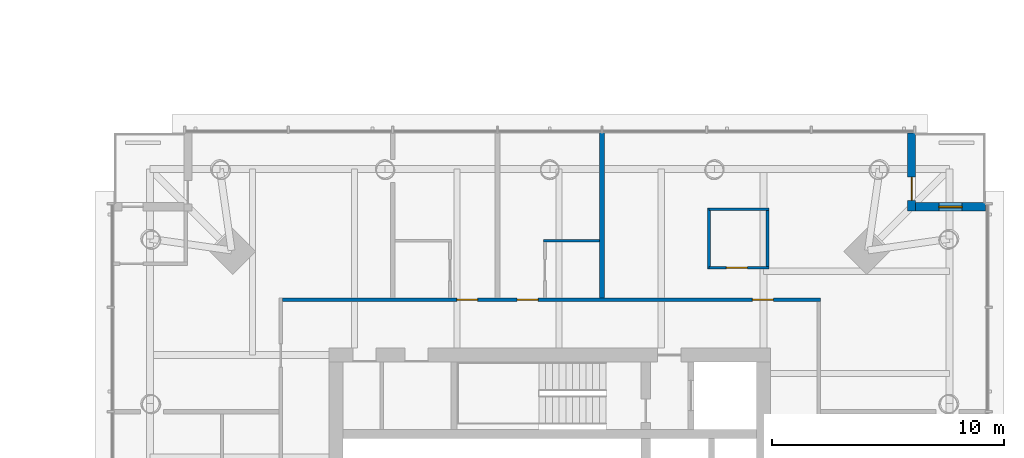
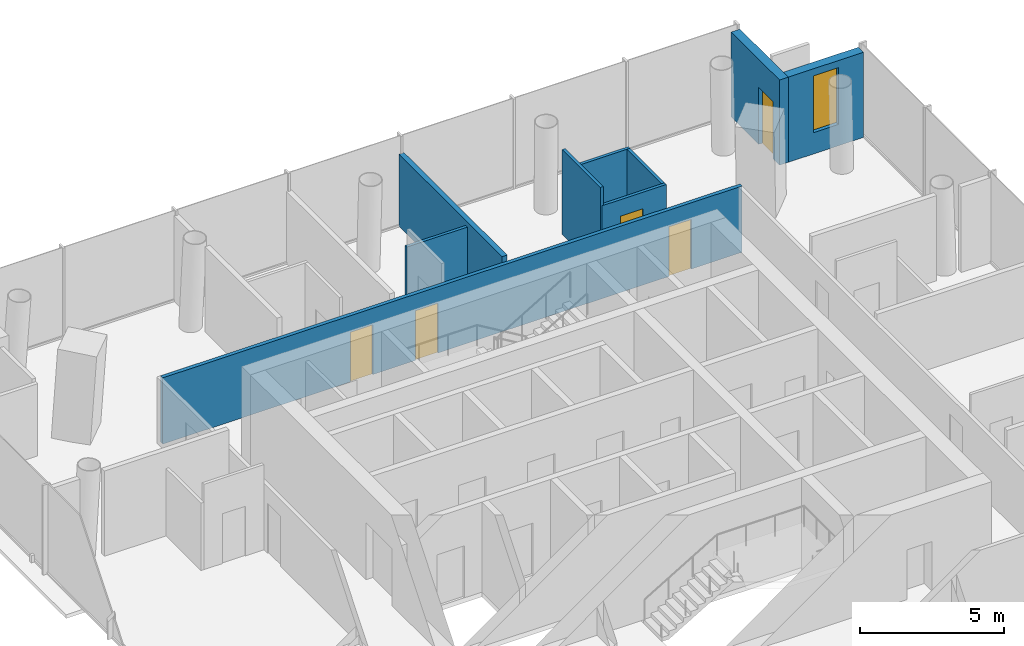
# One storey, part 15 of 22: 9 walls, 5 doors, 1 window, 6 openings.
"""IFC4 building model written with IfcOpenShell, lengths in metres."""

import ifcopenshell
import ifcopenshell.guid

model = None  # the IFC model being written
_history = None  # IfcOwnerHistory: only IFC2X3 demands one
_inside = {}  # id of a spatial element -> (the spatial element, [elements in it])
_under = {}  # id of a project, library or spatial element -> (it, [spatial elements below it])
_declared = {}  # id of a project -> (the project, [libraries it declares])
_typed = {}  # id of a type object -> (the type object, [elements of that type])
_made_of = {}  # id of a material, layer set ... -> (it, [elements and type objects made of it])


def new_model(schema):
    """Start an empty IFC model of exactly this schema.

    Asked for "IFC4X3", IfcOpenShell would pick the latest addendum, in which some entities
    have other attributes; the version numbers below select the first issue.
    IFC2X3 requires an IfcOwnerHistory on every rooted entity: one is made here for all.
    """
    global model, _history
    if schema == "IFC4X3":
        model = ifcopenshell.file(schema_version=(4, 3, 0, 0))
    else:
        model = ifcopenshell.file(schema=schema)
    _inside.clear()
    _under.clear()
    _declared.clear()
    _typed.clear()
    _made_of.clear()
    _history = None
    if model.schema == "IFC2X3":
        org = make("IfcOrganization", Name="unknown")
        user = make(
            "IfcPersonAndOrganization",
            ThePerson=make("IfcPerson", FamilyName="unknown"),
            TheOrganization=org,
        )
        app = make(
            "IfcApplication",
            ApplicationDeveloper=org,
            Version="unknown",
            ApplicationFullName="unknown",
            ApplicationIdentifier="unknown",
        )
        _history = make(
            "IfcOwnerHistory",
            OwningUser=user,
            OwningApplication=app,
            ChangeAction="ADDED",
            CreationDate=0,
        )
    return model


def make(cls, **values):
    """One entity of the class cls with the attributes given. An attribute that is None is left unset."""
    return model.create_entity(
        cls, **{name: value for name, value in values.items() if value is not None}
    )


def rooted(cls, **values):
    """An entity with a GlobalId (a new one), such as an element, a storey or a relation."""
    return make(cls, GlobalId=ifcopenshell.guid.new(), OwnerHistory=_history, **values)


def si_unit(unit_type, name, prefix=None):
    """IfcSIUnit, for example si_unit("LENGTHUNIT", "METRE", prefix="MILLI")."""
    return make("IfcSIUnit", UnitType=unit_type, Prefix=prefix, Name=name)


def assignment(units):
    """IfcUnitAssignment: the units of a project."""
    return None if units is None else make("IfcUnitAssignment", Units=units)


def point(xyz):
    """IfcCartesianPoint."""
    return None if xyz is None else make("IfcCartesianPoint", Coordinates=xyz)


def direction(xyz):
    """IfcDirection."""
    return None if xyz is None else make("IfcDirection", DirectionRatios=xyz)


def frame(location, z_axis=None, x_axis=None):
    """IfcAxis2Placement3D, a coordinate frame: its origin and axes. An axis left out is left unset."""
    return make(
        "IfcAxis2Placement3D",
        Location=point(location),
        Axis=direction(z_axis),
        RefDirection=direction(x_axis),
    )


def frame_2d(location, x_axis=None):
    """IfcAxis2Placement2D, a coordinate frame in the plane: its origin and x axis."""
    return make(
        "IfcAxis2Placement2D", Location=point(location), RefDirection=direction(x_axis)
    )


def origin():
    """The frame at (0, 0, 0) with its axes left unset."""
    return frame((0.0, 0.0, 0.0))


def place(relative_to, where):
    """IfcLocalPlacement: puts the frame where relative to a parent placement (None: the world)."""
    return make(
        "IfcLocalPlacement", PlacementRelTo=relative_to, RelativePlacement=where
    )


def context(
    kind, dimensions, precision=None, world=None, true_north=None, identifier=None
):
    """IfcGeometricRepresentationContext, for example the 3D "Model" context."""
    return make(
        "IfcGeometricRepresentationContext",
        ContextIdentifier=identifier,
        ContextType=kind,
        CoordinateSpaceDimension=dimensions,
        Precision=precision,
        WorldCoordinateSystem=world,
        TrueNorth=true_north,
    )


def subcontext(parent, identifier, kind, view, scale=None):
    """IfcGeometricRepresentationSubContext, for example "Body" below "Model"."""
    return make(
        "IfcGeometricRepresentationSubContext",
        ContextIdentifier=identifier,
        ContextType=kind,
        ParentContext=parent,
        TargetScale=scale,
        TargetView=view,
    )


def project(units=None, contexts=None):
    """IfcProject with its units and contexts."""
    return rooted(
        "IfcProject",
        Name="project",
        RepresentationContexts=contexts,
        UnitsInContext=assignment(units),
    )


def spatial(cls, under=None, at=None, **own):
    """A site, building, storey or space (cls), placed at a placement, below another one or the project."""
    s = rooted(cls, ObjectPlacement=at, **own)
    if under is not None:
        _under.setdefault(under.id(), (under, []))[1].append(s)
    return s


def profile(cls, at=None, kind="AREA", **sizes):
    """A parametric profile (cls). Its sizes go by their IFC names, for example OverallWidth=200.0."""
    return make(cls, ProfileType=kind, Position=at, **sizes)


def rectangle(**sizes):
    """IfcRectangleProfileDef."""
    return profile("IfcRectangleProfileDef", **sizes)


def extrude(swept, where, along, depth):
    """IfcExtrudedAreaSolid: the profile swept, set in the frame where, extruded along a direction by depth."""
    return make(
        "IfcExtrudedAreaSolid",
        SweptArea=swept,
        Position=where,
        ExtrudedDirection=direction(along),
        Depth=depth,
    )


def shape(context_of_items, identifier, shape_type, items):
    """IfcShapeRepresentation: the items that make up one representation, for example the "Body"."""
    return make(
        "IfcShapeRepresentation",
        ContextOfItems=context_of_items,
        RepresentationIdentifier=identifier,
        RepresentationType=shape_type,
        Items=items,
    )


def material(Name=None, Category=None):
    """IfcMaterial."""
    return make("IfcMaterial", Name=Name, Category=Category)


def layer(
    of_material, thickness, ventilated=None, Name=None, Category=None, Priority=None
):
    """IfcMaterialLayer: one layer of a wall or slab, of a material (None: an air gap)."""
    return make(
        "IfcMaterialLayer",
        Material=of_material,
        LayerThickness=thickness,
        IsVentilated=ventilated,
        Name=Name,
        Category=Category,
        Priority=Priority,
    )


def layer_set(layers, Name=None):
    """IfcMaterialLayerSet."""
    return make("IfcMaterialLayerSet", MaterialLayers=layers, LayerSetName=Name)


def made_of(thing, what):
    """Note that an element or type object is made of a material, layer set ...; save() writes the relation."""
    if what is not None:
        _made_of.setdefault(what.id(), (what, []))[1].append(thing)
    return thing


def type_object(cls, material=None, **own):
    """A type object (cls), such as IfcWallType, which elements share."""
    return made_of(rooted(cls, **own), material)


def element(
    cls,
    number,
    at=None,
    inside=None,
    cuts=None,
    type_object=None,
    material=None,
    context=None,
    identifier="Body",
    shape_type=None,
    held_by="IfcProductDefinitionShape",
    body=None,
    shapes=None,
    **own,
):
    """One element of the class cls, such as IfcWall. Its Tag is "e" and its number.

    at: its placement. inside: the storey or other place that contains it. cuts: it is an
    opening in that element (IfcRelVoidsElement). A single representation is given by context,
    identifier, shape_type and body (its items); several are given by shapes. held_by: the class
    of the entity that holds the representations. save() writes the other relations.
    """
    e = rooted(cls, Tag="e%d" % number, ObjectPlacement=at, **own)
    if body is not None:
        shapes = [shape(context, identifier, shape_type, body)]
    if shapes is not None:
        e.Representation = make(held_by, Representations=shapes)
    if inside is not None:
        _inside.setdefault(inside.id(), (inside, []))[1].append(e)
    if cuts is not None:
        rooted(
            "IfcRelVoidsElement", RelatingBuildingElement=cuts, RelatedOpeningElement=e
        )
    if type_object is not None:
        _typed.setdefault(type_object.id(), (type_object, []))[1].append(e)
    return made_of(e, material)


def fill(opening, filler):
    """IfcRelFillsElement: the door or window that sits in an opening."""
    return rooted(
        "IfcRelFillsElement",
        RelatingOpeningElement=opening,
        RelatedBuildingElement=filler,
    )


def aggregate(whole, parts):
    """IfcRelAggregates: a whole, such as a stair, and the parts it consists of."""
    return rooted("IfcRelAggregates", RelatingObject=whole, RelatedObjects=parts)


def save(model, path):
    """Write the relations noted so far, then the file.

    IfcRelAggregates (storeys below a building ...), IfcRelContainedInSpatialStructure (elements
    in a storey), IfcRelDefinesByType, IfcRelAssociatesMaterial and IfcRelDeclares: one each for
    every whole, place, type object, material and project.
    """
    for whole, parts in _under.values():
        aggregate(whole, parts)
    for where, things in _inside.values():
        rooted(
            "IfcRelContainedInSpatialStructure",
            RelatedElements=things,
            RelatingStructure=where,
        )
    for kind, things in _typed.values():
        rooted("IfcRelDefinesByType", RelatedObjects=things, RelatingType=kind)
    for what, things in _made_of.values():
        rooted("IfcRelAssociatesMaterial", RelatedObjects=things, RelatingMaterial=what)
    for by, libraries in _declared.values():
        rooted("IfcRelDeclares", RelatingContext=by, RelatedDefinitions=libraries)
    model.write(path)


model = new_model("IFC4")

# Units and contexts
model_context = context("Model", 3, precision=1e-05, world=origin(), true_north=direction((0.0, 1.0)))
body_context = subcontext(model_context, "Body", "Model", "MODEL_VIEW")
ifc_project = project(units=[si_unit("LENGTHUNIT", "METRE"), si_unit("AREAUNIT", "SQUARE_METRE"), si_unit("VOLUMEUNIT", "CUBIC_METRE"), si_unit("PLANEANGLEUNIT", "RADIAN"), si_unit("MASSUNIT", "GRAM", prefix="KILO")], contexts=[model_context])

# Site, building, storey
site_placement = place(None, origin())
site = spatial("IfcSite", under=ifc_project, at=site_placement, CompositionType="ELEMENT")
building_placement = place(site_placement, origin())
building = spatial("IfcBuilding", under=site, at=building_placement, Name="Ostroluk Exchange", CompositionType="ELEMENT")
storey_placement = place(building_placement, frame((0.0, 0.0, 62.800048828125)))
storey = spatial("IfcBuildingStorey", under=building, at=storey_placement, Name="L15", CompositionType="ELEMENT", Elevation=62.800048828125)

# Wall, opening, door
ifc_material_1 = material(Name="Limestone", Category="masonry")
ifc_layer_1 = layer(ifc_material_1, 0.35009765625)
ifc_layer_set_1 = layer_set([ifc_layer_1], Name="Limestone facade wall 350")
wall_type_1 = type_object("IfcWallType", Name="Limestone facade wall 350", PredefinedType="SOLIDWALL", material=ifc_layer_set_1)
wall_1_placement = place(storey_placement, frame((132.574951171875, 64.75, 0.0), z_axis=(0.0, 0.0, 1.0), x_axis=(0.0, -1.0, 0.0)))
wall_1 = element("IfcWall", 1, at=wall_1_placement, inside=storey, type_object=wall_type_1, Name="Hotel tower NE corner wall L15 a", PredefinedType="SOLIDWALL", context=body_context, shape_type="SweptSolid", body=[
    extrude(rectangle(XDim=3.35009765625, YDim=0.35009765625, at=frame_2d((1.675048828125, 0.0))), origin(), (0.0, 0.0, 1.0), 3.599853515625),
])
opening_1_placement = place(wall_1_placement, frame((1.89990234375, 0.0, 0.0)))
opening_1 = element("IfcOpeningElement", 2, at=opening_1_placement, cuts=wall_1, Name="Opening D-B1", PredefinedType="OPENING", context=body_context, shape_type="SweptSolid", body=[
    extrude(rectangle(XDim=1.0, YDim=2.39990234375, at=frame_2d((0.5, 1.199951171875))), frame((0.0, 0.18505859375, 0.0), z_axis=(0.0, -1.0, 0.0), x_axis=(1.0, 0.0, 0.0)), (0.0, 0.0, 1.0), 0.3701171875),
])
ifc_material_2 = material(Name="Bronze framed glazed door", Category="aluminium")
door_type_1 = type_object("IfcDoorType", Name="Balcony door 1000 x 2400", OperationType="SINGLE_SWING_LEFT", PredefinedType="DOOR", material=ifc_material_2)
door_1_placement = place(opening_1_placement, origin())
door_1 = element("IfcDoor", 3, at=door_1_placement, inside=storey, type_object=door_type_1, Name="Hotel tower NE balcony door L15", OperationType="SINGLE_SWING_RIGHT", OverallHeight=2.39990234375, OverallWidth=1.0, PredefinedType="DOOR", context=body_context, shape_type="SweptSolid", body=[
    extrude(rectangle(XDim=1.0, YDim=2.39990234375, at=frame_2d((0.5, 1.199951171875))), frame((0.0, 0.02490234375, 0.0), z_axis=(0.0, -1.0, 0.0), x_axis=(1.0, 0.0, 0.0)), (0.0, 0.0, 1.0), 0.050048828125),
])
fill(opening_1, door_1)

# Wall, opening, window
wall_2_placement = place(storey_placement, frame((132.75, 61.574951171875, 0.0), z_axis=(0.0, 0.0, 1.0), x_axis=(1.0, 0.0, 0.0)))
wall_2 = element("IfcWall", 4, at=wall_2_placement, inside=storey, type_object=wall_type_1, Name="Hotel tower NE corner wall L15 b", PredefinedType="SOLIDWALL", context=body_context, shape_type="SweptSolid", body=[
    extrude(rectangle(XDim=3.0, YDim=0.35009765625, at=frame_2d((1.5, 0.0))), origin(), (0.0, 0.0, 1.0), 3.599853515625),
])
opening_2_placement = place(wall_2_placement, frame((1.0, 0.0, 0.89990234375)))
opening_2 = element("IfcOpeningElement", 5, at=opening_2_placement, cuts=wall_2, Name="Opening WN-L3", PredefinedType="OPENING", context=body_context, shape_type="SweptSolid", body=[
    extrude(rectangle(XDim=1.0, YDim=2.39990234375, at=frame_2d((0.5, 1.199951171875))), frame((0.0, 0.18505859375, 0.0), z_axis=(0.0, -1.0, 0.0), x_axis=(1.0, 0.0, 0.0)), (0.0, 0.0, 1.0), 0.3701171875),
])
ifc_material_3 = material(Name="Laminated clear glass", Category="glass")
window_type = type_object("IfcWindowType", Name="Hotel lancet window 1000 x 2400", PartitioningType="SINGLE_PANEL", PredefinedType="WINDOW", material=ifc_material_3)
window_placement = place(opening_2_placement, origin())
window = element("IfcWindow", 6, at=window_placement, inside=storey, type_object=window_type, Name="Hotel tower NE lancet window L15", OverallHeight=2.39990234375, OverallWidth=1.0, PartitioningType="SINGLE_PANEL", PredefinedType="WINDOW", context=body_context, shape_type="SweptSolid", body=[
    extrude(rectangle(XDim=1.0, YDim=2.39990234375, at=frame_2d((0.5, 1.199951171875))), frame((0.0, 0.030029296875, 0.0), z_axis=(0.0, -1.0, 0.0), x_axis=(1.0, 0.0, 0.0)), (0.0, 0.0, 1.0), 0.06005859375),
])
fill(opening_2, window)

# Wall, opening, door
ifc_material_4 = material(Name="Gypsum plasterboard partition, moisture resistant", Category="gypsum")
ifc_layer_2 = layer(ifc_material_4, 0.1201171875)
ifc_layer_set_2 = layer_set([ifc_layer_2], Name="Plasterboard en-suite wall 120")
wall_type_2 = type_object("IfcWallType", Name="Plasterboard en-suite wall 120", PredefinedType="PARTITIONING", material=ifc_layer_set_2)
wall_3_placement = place(storey_placement, frame((123.85009765625, 58.949951171875, 0.0), z_axis=(0.0, 0.0, 1.0), x_axis=(1.0, 0.0, 0.0)))
wall_3 = element("IfcWall", 7, at=wall_3_placement, inside=storey, type_object=wall_type_2, Name="En-suite wall", PredefinedType="PARTITIONING", context=body_context, shape_type="SweptSolid", body=[
    extrude(rectangle(XDim=2.579833984375, YDim=0.1201171875, at=frame_2d((1.2900390625, 0.0))), origin(), (0.0, 0.0, 1.0), 2.800048828125),
])
opening_3_placement = place(wall_3_placement, frame((0.75, 0.0, 0.0)))
opening_3 = element("IfcOpeningElement", 8, at=opening_3_placement, cuts=wall_3, Name="Opening D-02", PredefinedType="OPENING", context=body_context, shape_type="SweptSolid", body=[
    extrude(rectangle(XDim=0.89990234375, YDim=2.10009765625, at=frame_2d((0.449951171875, 1.050048828125))), frame((0.0, 0.070068359375, 0.0), z_axis=(0.0, -1.0, 0.0), x_axis=(1.0, 0.0, 0.0)), (0.0, 0.0, 1.0), 0.14013671875),
])
ifc_material_5 = material(Name="Timber", Category="wood")
door_type_2 = type_object("IfcDoorType", Name="En-suite door 900 x 2100", OperationType="SINGLE_SWING_LEFT", PredefinedType="DOOR", material=ifc_material_5)
door_2_placement = place(opening_3_placement, origin())
door_2 = element("IfcDoor", 9, at=door_2_placement, inside=storey, type_object=door_type_2, Name="En-suite door 1504", OperationType="SINGLE_SWING_LEFT", OverallHeight=2.10009765625, OverallWidth=0.89990234375, PredefinedType="DOOR", context=body_context, shape_type="SweptSolid", body=[
    extrude(rectangle(XDim=0.89990234375, YDim=2.10009765625, at=frame_2d((0.449951171875, 1.050048828125))), frame((0.0, 0.02490234375, 0.0), z_axis=(0.0, -1.0, 0.0), x_axis=(1.0, 0.0, 0.0)), (0.0, 0.0, 1.0), 0.050048828125),
])
fill(opening_3, door_2)

# Walls
wall_4_placement = place(storey_placement, frame((123.85009765625, 61.469970703125, 0.0), z_axis=(0.0, 0.0, 1.0), x_axis=(1.0, 0.0, 0.0)))
element("IfcWall", 10, at=wall_4_placement, inside=storey, type_object=wall_type_2, Name="En-suite wall", PredefinedType="PARTITIONING", context=body_context, shape_type="SweptSolid", body=[
    extrude(rectangle(XDim=2.579833984375, YDim=0.1201171875, at=frame_2d((1.2900390625, 0.0))), origin(), (0.0, 0.0, 1.0), 2.800048828125),
])
wall_5_placement = place(storey_placement, frame((126.3701171875, 59.010009765625, 0.0), z_axis=(0.0, 0.0, 1.0), x_axis=(0.0, 1.0, 0.0)))
element("IfcWall", 11, at=wall_5_placement, inside=storey, type_object=wall_type_2, Name="En-suite wall", PredefinedType="PARTITIONING", context=body_context, shape_type="SweptSolid", body=[
    extrude(rectangle(XDim=2.39990234375, YDim=0.1201171875, at=frame_2d((1.199951171875, 0.0))), origin(), (0.0, 0.0, 1.0), 2.800048828125),
])
wall_6_placement = place(storey_placement, frame((123.85009765625, 58.889892578125, 0.0), z_axis=(0.0, 0.0, 1.0), x_axis=(0.0, 1.0, 0.0)))
element("IfcWall", 12, at=wall_6_placement, inside=storey, type_object=wall_type_2, Name="En-suite wall", PredefinedType="PARTITIONING", context=body_context, shape_type="SweptSolid", body=[
    extrude(rectangle(XDim=2.64013671875, YDim=0.1201171875, at=frame_2d((1.320068359375, 0.0))), origin(), (0.0, 0.0, 1.0), 3.599853515625),
])
wall_7_placement = place(storey_placement, frame((119.14990234375, 60.110107421875, 0.0), z_axis=(0.0, 0.0, 1.0), x_axis=(-1.0, 0.0, 0.0)))
element("IfcWall", 13, at=wall_7_placement, inside=storey, type_object=wall_type_2, Name="En-suite wall", PredefinedType="PARTITIONING", context=body_context, shape_type="SweptSolid", body=[
    extrude(rectangle(XDim=2.419921875, YDim=0.1201171875, at=frame_2d((1.2099609375, 0.0))), origin(), (0.0, 0.0, 1.0), 2.846923828125),
])

# Wall, openings, doors
ifc_material_6 = material(Name="Gypsum plasterboard partition", Category="gypsum")
ifc_layer_3 = layer(ifc_material_6, 0.14990234375)
ifc_layer_set_3 = layer_set([ifc_layer_3], Name="Plasterboard partition 150")
wall_type_3 = type_object("IfcWallType", Name="Plasterboard partition 150", PredefinedType="PARTITIONING", material=ifc_layer_set_3)
wall_8_placement = place(storey_placement, frame((128.64990234375, 57.574951171875, 0.0), z_axis=(0.0, 0.0, 1.0), x_axis=(-1.0, 0.0, 0.0)))
wall_8 = element("IfcWall", 14, at=wall_8_placement, inside=storey, type_object=wall_type_3, Name="Corridor wall", PredefinedType="PARTITIONING", context=body_context, shape_type="SweptSolid", body=[
    extrude(rectangle(XDim=23.14990234375, YDim=0.14990234375, at=frame_2d((11.574951171875, 0.0))), origin(), (0.0, 0.0, 1.0), 2.800048828125),
])
opening_4_placement = place(wall_8_placement, frame((2.02490234375, 0.0, 0.0)))
opening_4 = element("IfcOpeningElement", 15, at=opening_4_placement, cuts=wall_8, Name="Opening D-01", PredefinedType="OPENING", context=body_context, shape_type="SweptSolid", body=[
    extrude(rectangle(XDim=0.89990234375, YDim=2.10009765625, at=frame_2d((0.449951171875, 1.050048828125))), frame((0.0, 0.0849609375, 0.0), z_axis=(0.0, -1.0, 0.0), x_axis=(1.0, 0.0, 0.0)), (0.0, 0.0, 1.0), 0.169921875),
])
opening_5_placement = place(wall_8_placement, frame((12.14990234375, 0.0, 0.0)))
opening_5 = element("IfcOpeningElement", 16, at=opening_5_placement, cuts=wall_8, Name="Opening D-01", PredefinedType="OPENING", context=body_context, shape_type="SweptSolid", body=[
    extrude(rectangle(XDim=0.89990234375, YDim=2.10009765625, at=frame_2d((0.449951171875, 1.050048828125))), frame((0.0, 0.0849609375, 0.0), z_axis=(0.0, -1.0, 0.0), x_axis=(1.0, 0.0, 0.0)), (0.0, 0.0, 1.0), 0.169921875),
])
opening_6_placement = place(wall_8_placement, frame((14.75, 0.0, 0.0)))
opening_6 = element("IfcOpeningElement", 17, at=opening_6_placement, cuts=wall_8, Name="Opening D-01", PredefinedType="OPENING", context=body_context, shape_type="SweptSolid", body=[
    extrude(rectangle(XDim=0.89990234375, YDim=2.10009765625, at=frame_2d((0.449951171875, 1.050048828125))), frame((0.0, 0.0849609375, 0.0), z_axis=(0.0, -1.0, 0.0), x_axis=(1.0, 0.0, 0.0)), (0.0, 0.0, 1.0), 0.169921875),
])
ifc_material_7 = material(Name="Timber", Category="wood")
door_type_3 = type_object("IfcDoorType", Name="Hotel room door EI 30 Sa 900 x 2100", OperationType="SINGLE_SWING_LEFT", PredefinedType="DOOR", material=ifc_material_7)
door_3_placement = place(opening_4_placement, origin())
door_3 = element("IfcDoor", 18, at=door_3_placement, inside=storey, type_object=door_type_3, Name="Room door 1504", OperationType="SINGLE_SWING_LEFT", OverallHeight=2.10009765625, OverallWidth=0.89990234375, PredefinedType="DOOR", context=body_context, shape_type="SweptSolid", body=[
    extrude(rectangle(XDim=0.89990234375, YDim=2.10009765625, at=frame_2d((0.449951171875, 1.050048828125))), frame((0.0, 0.02490234375, 0.0), z_axis=(0.0, -1.0, 0.0), x_axis=(1.0, 0.0, 0.0)), (0.0, 0.0, 1.0), 0.050048828125),
])
fill(opening_4, door_3)
door_4_placement = place(opening_5_placement, origin())
door_4 = element("IfcDoor", 19, at=door_4_placement, inside=storey, type_object=door_type_3, Name="Room door 1505", OperationType="SINGLE_SWING_RIGHT", OverallHeight=2.10009765625, OverallWidth=0.89990234375, PredefinedType="DOOR", context=body_context, shape_type="SweptSolid", body=[
    extrude(rectangle(XDim=0.89990234375, YDim=2.10009765625, at=frame_2d((0.449951171875, 1.050048828125))), frame((0.0, 0.02490234375, 0.0), z_axis=(0.0, -1.0, 0.0), x_axis=(1.0, 0.0, 0.0)), (0.0, 0.0, 1.0), 0.050048828125),
])
fill(opening_5, door_4)
door_5_placement = place(opening_6_placement, origin())
door_5 = element("IfcDoor", 20, at=door_5_placement, inside=storey, type_object=door_type_3, Name="Room door 1506", OperationType="SINGLE_SWING_RIGHT", OverallHeight=2.10009765625, OverallWidth=0.89990234375, PredefinedType="DOOR", context=body_context, shape_type="SweptSolid", body=[
    extrude(rectangle(XDim=0.89990234375, YDim=2.10009765625, at=frame_2d((0.449951171875, 1.050048828125))), frame((0.0, 0.02490234375, 0.0), z_axis=(0.0, -1.0, 0.0), x_axis=(1.0, 0.0, 0.0)), (0.0, 0.0, 1.0), 0.050048828125),
])
fill(opening_6, door_5)

# Wall
ifc_material_8 = material(Name="Gypsum plasterboard partition", Category="gypsum")
ifc_layer_4 = layer(ifc_material_8, 0.199951171875)
ifc_layer_set_4 = layer_set([ifc_layer_4], Name="Plasterboard party wall 200")
wall_type_4 = type_object("IfcWallType", Name="Plasterboard party wall 200", PredefinedType="PARTITIONING", material=ifc_layer_set_4)
wall_9_placement = place(storey_placement, frame((119.25, 57.64990234375, 0.0), z_axis=(0.0, 0.0, 1.0), x_axis=(0.0, 1.0, 0.0)))
element("IfcWall", 21, at=wall_9_placement, inside=storey, type_object=wall_type_4, Name="Party wall", PredefinedType="PARTITIONING", context=body_context, shape_type="SweptSolid", body=[
    extrude(rectangle(XDim=7.14013671875, YDim=0.199951171875, at=frame_2d((3.570068359375, 0.0))), origin(), (0.0, 0.0, 1.0), 3.050048828125),
])

save(model, "model.ifc")
